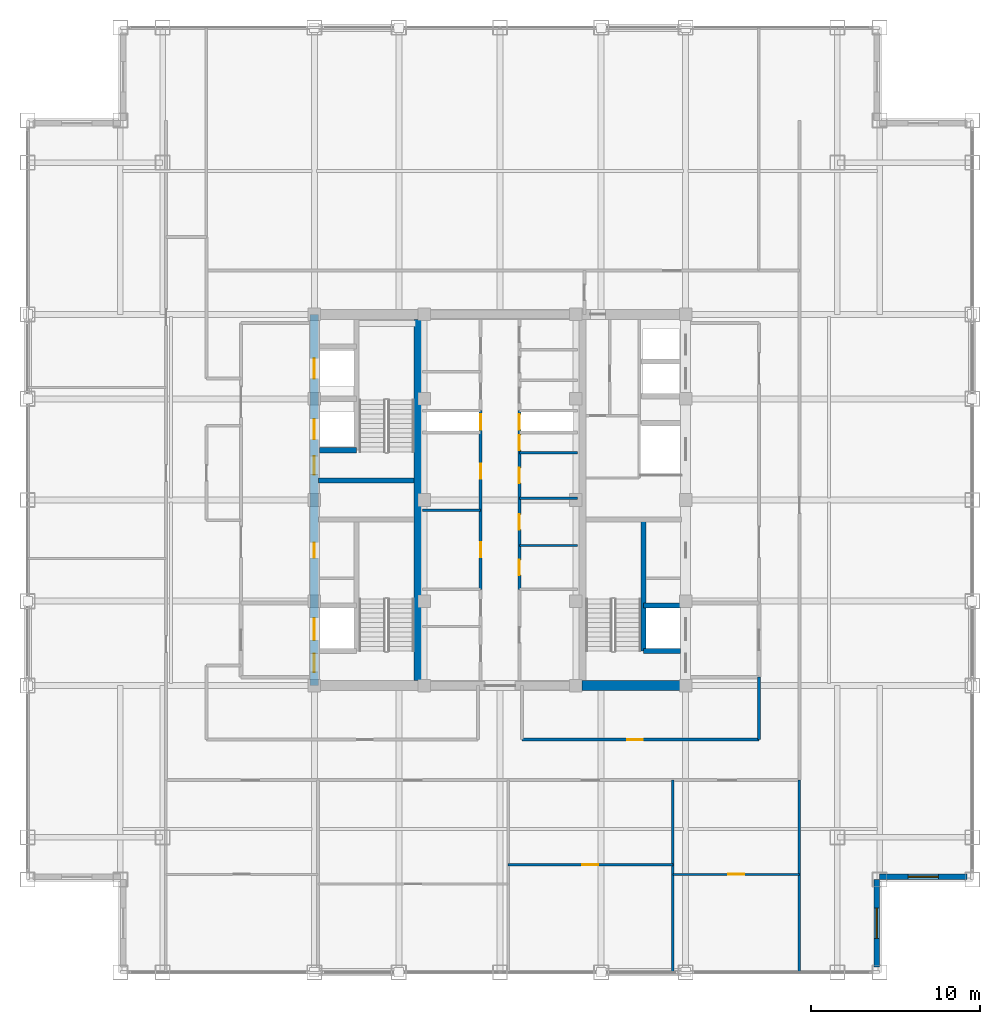
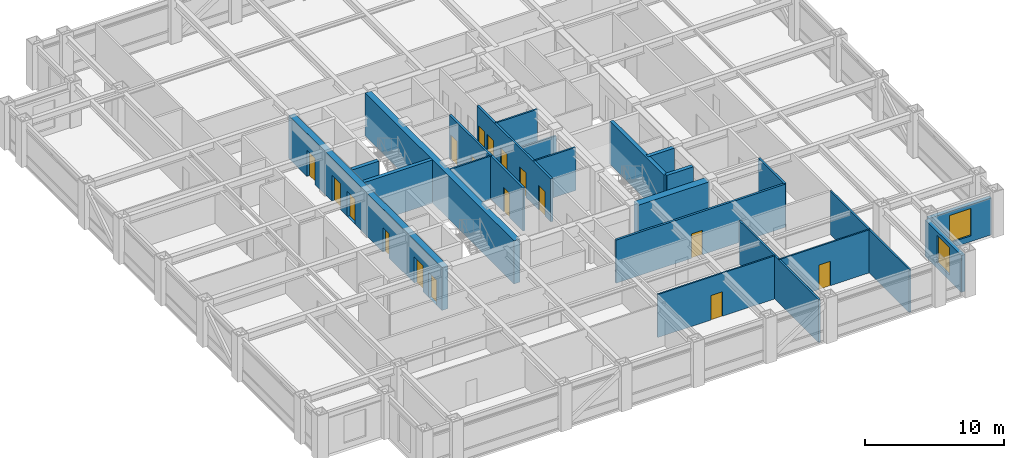
# One storey, part 19 of 22: 22 walls, 17 doors, 2 windows, 19 openings.
"""IFC4 building model written with IfcOpenShell, lengths in metres."""

from ifc_helpers import new_model, si_unit, direction, frame, frame_2d, origin, place, context, subcontext, project, spatial, rectangle, extrude, source, transform, mapped, material, layer, layer_set, type_object, element, fill, save


model = new_model("IFC4")

# Units and contexts
model_context = context("Model", 3, precision=1e-05, world=origin(), true_north=direction((0.0, 1.0)))
body_context = subcontext(model_context, "Body", "Model", "MODEL_VIEW")
ifc_project = project(units=[si_unit("LENGTHUNIT", "METRE"), si_unit("AREAUNIT", "SQUARE_METRE"), si_unit("VOLUMEUNIT", "CUBIC_METRE"), si_unit("PLANEANGLEUNIT", "RADIAN"), si_unit("MASSUNIT", "GRAM", prefix="KILO")], contexts=[model_context])

# Site, building, storey
site_placement = place(None, origin())
site = spatial("IfcSite", under=ifc_project, at=site_placement, CompositionType="ELEMENT")
building_placement = place(site_placement, origin())
building = spatial("IfcBuilding", under=site, at=building_placement, Name="Khorayat Bourse Tower", CompositionType="ELEMENT")
storey_placement = place(building_placement, frame((0.0, 0.0, 297.5)))
storey = spatial("IfcBuildingStorey", under=building, at=storey_placement, Name="L70", CompositionType="ELEMENT", Elevation=297.5)

# Wall, openings, doors
ifc_material_1 = material(Name="Concrete C52/65", Category="concrete")
ifc_layer_1 = layer(ifc_material_1, 0.5)
ifc_layer_set_1 = layer_set([ifc_layer_1], Name="Concrete C52/65")
wall_type_1 = type_object("IfcWallType", Name="WAL-CORE-500", PredefinedType="SHEAR", material=ifc_layer_set_1)
shared_shape_1 = source(origin(), body_context, "Body", "SweptSolid", [
    extrude(rectangle(XDim=22.0, YDim=0.5, at=frame_2d((11.0, 0.0))), origin(), (0.0, 0.0, 1.0), 3.780029296875),
])
wall_1_placement = place(storey_placement, frame((-11.0, -11.0, 0.0), z_axis=(0.0, 0.0, 1.0), x_axis=(0.0, 1.0, 0.0)))
wall_1 = element("IfcWall", 1, at=wall_1_placement, inside=storey, type_object=wall_type_1, Name="L70 Core Shear Wall CORE-W", PredefinedType="SHEAR", context=body_context, shape_type="MappedRepresentation", body=[
    mapped(shared_shape_1, transform((0.0, 0.0, 0.0), scale=1.0)),
])
shared_shape_2 = source(origin(), body_context, "Body", "SweptSolid", [
    extrude(rectangle(XDim=1.10009765625, YDim=2.199951171875, at=frame_2d((0.550048828125, 1.10009765625))), frame((0.0, 0.260009765625, 0.0), z_axis=(0.0, -1.0, 0.0), x_axis=(1.0, 0.0, 0.0)), (0.0, 0.0, 1.0), 0.52001953125),
])
opening_1_placement = place(wall_1_placement, frame((0.800048828125, 0.0, 0.0)))
opening_1 = element("IfcOpeningElement", 2, at=opening_1_placement, cuts=wall_1, Name="Opening DI-01", PredefinedType="OPENING", context=body_context, shape_type="MappedRepresentation", body=[
    mapped(shared_shape_2, transform((0.0, 0.0, 0.0), scale=1.0)),
])
opening_2_placement = place(wall_1_placement, frame((12.5, 0.0, 0.0)))
opening_2 = element("IfcOpeningElement", 3, at=opening_2_placement, cuts=wall_1, Name="Opening DI-01", PredefinedType="OPENING", context=body_context, shape_type="MappedRepresentation", body=[
    mapped(shared_shape_2, transform((0.0, 0.0, 0.0), scale=1.0)),
])
shared_shape_3 = source(origin(), body_context, "Body", "SweptSolid", [
    extrude(rectangle(XDim=0.89990234375, YDim=2.14990234375, at=frame_2d((0.449951171875, 1.074951171875))), frame((0.0, 0.260009765625, 0.0), z_axis=(0.0, -1.0, 0.0), x_axis=(1.0, 0.0, 0.0)), (0.0, 0.0, 1.0), 0.52001953125),
])
opening_3_placement = place(wall_1_placement, frame((7.574951171875, 0.0, 0.0)))
opening_3 = element("IfcOpeningElement", 4, at=opening_3_placement, cuts=wall_1, Name="Opening DI-06", PredefinedType="OPENING", context=body_context, shape_type="MappedRepresentation", body=[
    mapped(shared_shape_3, transform((0.0, 0.0, 0.0), scale=1.0)),
])
shared_shape_4 = source(origin(), body_context, "Body", "SweptSolid", [
    extrude(rectangle(XDim=1.199951171875, YDim=2.300048828125, at=frame_2d((0.60009765625, 1.14990234375))), frame((0.0, 0.260009765625, 0.0), z_axis=(0.0, -1.0, 0.0), x_axis=(1.0, 0.0, 0.0)), (0.0, 0.0, 1.0), 0.52001953125),
])
opening_4_placement = place(wall_1_placement, frame((14.60009765625, 0.0, 0.0)))
opening_4 = element("IfcOpeningElement", 5, at=opening_4_placement, cuts=wall_1, Name="Opening LD-01", PredefinedType="OPENING", context=body_context, shape_type="MappedRepresentation", body=[
    mapped(shared_shape_4, transform((0.0, 0.0, 0.0), scale=1.0)),
])
opening_5_placement = place(wall_1_placement, frame((18.199951171875, 0.0, 0.0)))
opening_5 = element("IfcOpeningElement", 6, at=opening_5_placement, cuts=wall_1, Name="Opening LD-01", PredefinedType="OPENING", context=body_context, shape_type="MappedRepresentation", body=[
    mapped(shared_shape_4, transform((0.0, 0.0, 0.0), scale=1.0)),
])
shared_shape_5 = source(origin(), body_context, "Body", "SweptSolid", [
    extrude(rectangle(XDim=1.300048828125, YDim=2.300048828125, at=frame_2d((0.64990234375, 1.14990234375))), frame((0.0, 0.260009765625, 0.0), z_axis=(0.0, -1.0, 0.0), x_axis=(1.0, 0.0, 0.0)), (0.0, 0.0, 1.0), 0.52001953125),
])
opening_6_placement = place(wall_1_placement, frame((2.699951171875, 0.0, 0.0)))
opening_6 = element("IfcOpeningElement", 7, at=opening_6_placement, cuts=wall_1, Name="Opening LD-02", PredefinedType="OPENING", context=body_context, shape_type="MappedRepresentation", body=[
    mapped(shared_shape_5, transform((0.0, 0.0, 0.0), scale=1.0)),
])
ifc_material_2 = material(Name="Fire-rated steel acoustic leaf", Category="steel")
door_type_1 = type_object("IfcDoorType", Name="DR-INT-STAIR-1100", OperationType="NOTDEFINED", PredefinedType="DOOR", material=ifc_material_2)
shared_shape_6 = source(origin(), body_context, "Body", "SweptSolid", [
    extrude(rectangle(XDim=1.10009765625, YDim=2.199951171875, at=frame_2d((0.550048828125, 1.10009765625))), frame((0.0, 0.02490234375, 0.0), z_axis=(0.0, -1.0, 0.0), x_axis=(1.0, 0.0, 0.0)), (0.0, 0.0, 1.0), 0.050048828125),
])
door_1_placement = place(opening_1_placement, origin())
door_1 = element("IfcDoor", 8, at=door_1_placement, inside=storey, type_object=door_type_1, Name="L70 Exit Stair 1 Door", OperationType="SINGLE_SWING_RIGHT", OverallHeight=2.199951171875, OverallWidth=1.10009765625, PredefinedType="DOOR", context=body_context, shape_type="MappedRepresentation", body=[
    mapped(shared_shape_6, transform((0.0, 0.0, 0.0), scale=1.0)),
])
fill(opening_1, door_1)
door_2_placement = place(opening_2_placement, origin())
door_2 = element("IfcDoor", 9, at=door_2_placement, inside=storey, type_object=door_type_1, Name="L70 Exit Stair 2 Door", OperationType="SINGLE_SWING_RIGHT", OverallHeight=2.199951171875, OverallWidth=1.10009765625, PredefinedType="DOOR", context=body_context, shape_type="MappedRepresentation", body=[
    mapped(shared_shape_6, transform((0.0, 0.0, 0.0), scale=1.0)),
])
fill(opening_2, door_2)
ifc_material_3 = material(Name="Moisture-resistant laminate washroom door")
door_type_2 = type_object("IfcDoorType", Name="DR-INT-WC-900", OperationType="NOTDEFINED", PredefinedType="DOOR", material=ifc_material_3)
shared_shape_7 = source(origin(), body_context, "Body", "SweptSolid", [
    extrude(rectangle(XDim=0.89990234375, YDim=2.14990234375, at=frame_2d((0.449951171875, 1.074951171875))), frame((0.0, 0.02490234375, 0.0), z_axis=(0.0, -1.0, 0.0), x_axis=(1.0, 0.0, 0.0)), (0.0, 0.0, 1.0), 0.050048828125),
])
door_3_placement = place(opening_3_placement, origin())
door_3 = element("IfcDoor", 10, at=door_3_placement, inside=storey, type_object=door_type_2, Name="L70 UPS Switch Plant Room Door", OperationType="SINGLE_SWING_RIGHT", OverallHeight=2.14990234375, OverallWidth=0.89990234375, PredefinedType="DOOR", context=body_context, shape_type="MappedRepresentation", body=[
    mapped(shared_shape_7, transform((0.0, 0.0, 0.0), scale=1.0)),
])
fill(opening_3, door_3)
ifc_material_4 = material(Name="Brushed bronze stainless-steel sliding door", Category="steel")
door_type_3 = type_object("IfcDoorType", Name="DR-LIFT-PASS-1200", OperationType="NOTDEFINED", PredefinedType="DOOR", material=ifc_material_4)
shared_shape_8 = source(origin(), body_context, "Body", "SweptSolid", [
    extrude(rectangle(XDim=1.199951171875, YDim=2.300048828125, at=frame_2d((0.60009765625, 1.14990234375))), frame((0.0, 0.02490234375, 0.0), z_axis=(0.0, -1.0, 0.0), x_axis=(1.0, 0.0, 0.0)), (0.0, 0.0, 1.0), 0.050048828125),
])
door_4_placement = place(opening_4_placement, origin())
door_4 = element("IfcDoor", 11, at=door_4_placement, inside=storey, type_object=door_type_3, Name="L70 Lift PL-H1 Sliding Landing Door", OperationType="SLIDING_TO_LEFT", OverallHeight=2.300048828125, OverallWidth=1.199951171875, PredefinedType="DOOR", context=body_context, shape_type="MappedRepresentation", body=[
    mapped(shared_shape_8, transform((0.0, 0.0, 0.0), scale=1.0)),
])
fill(opening_4, door_4)
door_5_placement = place(opening_5_placement, origin())
door_5 = element("IfcDoor", 12, at=door_5_placement, inside=storey, type_object=door_type_3, Name="L70 Lift PL-H2 Sliding Landing Door", OperationType="SLIDING_TO_LEFT", OverallHeight=2.300048828125, OverallWidth=1.199951171875, PredefinedType="DOOR", context=body_context, shape_type="MappedRepresentation", body=[
    mapped(shared_shape_8, transform((0.0, 0.0, 0.0), scale=1.0)),
])
fill(opening_5, door_5)
ifc_material_5 = material(Name="Fire-rated stainless-steel sliding landing door", Category="steel")
door_type_4 = type_object("IfcDoorType", Name="DR-LIFT-FF-1300", OperationType="NOTDEFINED", PredefinedType="DOOR", material=ifc_material_5)
shared_shape_9 = source(origin(), body_context, "Body", "SweptSolid", [
    extrude(rectangle(XDim=1.300048828125, YDim=2.300048828125, at=frame_2d((0.64990234375, 1.14990234375))), frame((0.0, 0.02490234375, 0.0), z_axis=(0.0, -1.0, 0.0), x_axis=(1.0, 0.0, 0.0)), (0.0, 0.0, 1.0), 0.050048828125),
])
door_6_placement = place(opening_6_placement, origin())
door_6 = element("IfcDoor", 13, at=door_6_placement, inside=storey, type_object=door_type_4, Name="L70 Lift FFL-01 Sliding Landing Door", OperationType="SLIDING_TO_LEFT", OverallHeight=2.300048828125, OverallWidth=1.300048828125, PredefinedType="DOOR", context=body_context, shape_type="MappedRepresentation", body=[
    mapped(shared_shape_9, transform((0.0, 0.0, 0.0), scale=1.0)),
])
fill(opening_6, door_6)

# Walls
shared_shape_10 = source(origin(), body_context, "Body", "SweptSolid", [
    extrude(rectangle(XDim=21.39990234375, YDim=0.5, at=frame_2d((10.699951171875, 0.0))), origin(), (0.0, 0.0, 1.0), 3.780029296875),
])
wall_2_placement = place(storey_placement, frame((-4.85009765625, -10.699951171875, 0.0), z_axis=(0.0, 0.0, 1.0), x_axis=(0.0, 1.0, 0.0)))
element("IfcWall", 14, at=wall_2_placement, inside=storey, type_object=wall_type_1, Name="L70 Core Shear Wall PIER-W", PredefinedType="SHEAR", context=body_context, shape_type="MappedRepresentation", body=[
    mapped(shared_shape_10, transform((0.0, 0.0, 0.0), scale=1.0)),
])
ifc_material_6 = material(Name="Concrete C60/75", Category="concrete")
ifc_layer_2 = layer(ifc_material_6, 0.60009765625)
ifc_layer_set_2 = layer_set([ifc_layer_2], Name="Concrete C60/75")
wall_type_2 = type_object("IfcWallType", Name="WAL-CORE-600", PredefinedType="SHEAR", material=ifc_layer_set_2)
shared_shape_11 = source(origin(), body_context, "Body", "SweptSolid", [
    extrude(rectangle(XDim=5.89990234375, YDim=0.60009765625, at=frame_2d((2.949951171875, 0.0))), origin(), (0.0, 0.0, 1.0), 3.780029296875),
])
wall_3_placement = place(storey_placement, frame((4.85009765625, -11.0, 0.0), z_axis=(0.0, 0.0, 1.0), x_axis=(1.0, 0.0, 0.0)))
element("IfcWall", 15, at=wall_3_placement, inside=storey, type_object=wall_type_2, Name="L70 Core Shear Wall PIER-ES", PredefinedType="SHEAR", context=body_context, shape_type="MappedRepresentation", body=[
    mapped(shared_shape_11, transform((0.0, 0.0, 0.0), scale=1.0)),
])
ifc_material_7 = material(Name="Concrete C50/60", Category="concrete")
ifc_layer_3 = layer(ifc_material_7, 0.300048828125)
ifc_layer_set_3 = layer_set([ifc_layer_3], Name="Concrete C50/60")
wall_type_3 = type_object("IfcWallType", Name="WAL-SHAFT-300", PredefinedType="SHEAR", material=ifc_layer_set_3)
shared_shape_12 = source(origin(), body_context, "Body", "SweptSolid", [
    extrude(rectangle(XDim=5.64990234375, YDim=0.300048828125, at=frame_2d((2.824951171875, 0.0))), origin(), (0.0, 0.0, 1.0), 3.780029296875),
])
wall_4_placement = place(storey_placement, frame((-10.75, 1.14990234375, 0.0), z_axis=(0.0, 0.0, 1.0), x_axis=(1.0, 0.0, 0.0)))
element("IfcWall", 16, at=wall_4_placement, inside=storey, type_object=wall_type_3, Name="L70 Core Shear Wall ST2-DIV", PredefinedType="SHEAR", context=body_context, shape_type="MappedRepresentation", body=[
    mapped(shared_shape_12, transform((0.0, 0.0, 0.0), scale=1.0)),
])

# Wall, opening, window
ifc_material_8 = material(Name="Precast concrete C45/55", Category="concrete")
ifc_layer_4 = layer(ifc_material_8, 0.320068359375)
ifc_layer_set_4 = layer_set([ifc_layer_4], Name="Precast concrete C45/55")
wall_type_4 = type_object("IfcWallType", Name="WAL-EXT-STONE-320", PredefinedType="STANDARD", material=ifc_layer_set_4)
shared_shape_13 = source(origin(), body_context, "Body", "SweptSolid", [
    extrude(rectangle(XDim=5.179931640625, YDim=0.320068359375, at=frame_2d((2.58984375, 0.0))), origin(), (0.0, 0.0, 1.0), 3.23095703125),
])
wall_5_placement = place(storey_placement, frame((22.340087890625, -27.679931640625, 0.0), z_axis=(0.0, 0.0, 1.0), x_axis=(0.0, 1.0, 0.0)))
wall_5 = element("IfcWall", 17, at=wall_5_placement, inside=storey, type_object=wall_type_4, Name="L70 Re-Entrant Notch Limestone Wall SE-V", PredefinedType="STANDARD", context=body_context, shape_type="MappedRepresentation", body=[
    mapped(shared_shape_13, transform((0.0, 0.0, 0.0), scale=1.0)),
])
shared_shape_14 = source(origin(), body_context, "Body", "SweptSolid", [
    extrude(rectangle(XDim=1.800048828125, YDim=2.39990234375, at=frame_2d((0.89990234375, 1.199951171875))), frame((0.0, 0.169921875, 0.0), z_axis=(0.0, -1.0, 0.0), x_axis=(1.0, 0.0, 0.0)), (0.0, 0.0, 1.0), 0.340087890625),
])
opening_7_placement = place(wall_5_placement, frame((1.68994140625, 0.0, 0.5)))
opening_7 = element("IfcOpeningElement", 18, at=opening_7_placement, cuts=wall_5, Name="Opening WN-04", PredefinedType="OPENING", context=body_context, shape_type="MappedRepresentation", body=[
    mapped(shared_shape_14, transform((0.0, 0.0, 0.0), scale=1.0)),
])
ifc_material_9 = material(Name="Low-E acoustic laminated double glazing", Category="glass")
window_type = type_object("IfcWindowType", Name="WIN-NOTCH-1800x2400", PartitioningType="SINGLE_PANEL", PredefinedType="WINDOW", material=ifc_material_9)
shared_shape_15 = source(origin(), body_context, "Body", "SweptSolid", [
    extrude(rectangle(XDim=1.800048828125, YDim=2.39990234375, at=frame_2d((0.89990234375, 1.199951171875))), frame((0.0, 0.030029296875, 0.0), z_axis=(0.0, -1.0, 0.0), x_axis=(1.0, 0.0, 0.0)), (0.0, 0.0, 1.0), 0.06005859375),
])
window_1_placement = place(opening_7_placement, origin())
window_1 = element("IfcWindow", 19, at=window_1_placement, inside=storey, type_object=window_type, Name="L70 Facade Window 1", OverallHeight=2.39990234375, OverallWidth=1.800048828125, PartitioningType="SINGLE_PANEL", PredefinedType="WINDOW", context=body_context, shape_type="MappedRepresentation", body=[
    mapped(shared_shape_15, transform((0.0, 0.0, 0.0), scale=1.0)),
])
fill(opening_7, window_1)

wall_6_placement = place(storey_placement, frame((22.5, -22.340087890625, 0.0), z_axis=(0.0, 0.0, 1.0), x_axis=(1.0, 0.0, 0.0)))
wall_6 = element("IfcWall", 20, at=wall_6_placement, inside=storey, type_object=wall_type_4, Name="L70 Re-Entrant Notch Limestone Wall SE-H", PredefinedType="STANDARD", context=body_context, shape_type="MappedRepresentation", body=[
    mapped(shared_shape_13, transform((0.0, 0.0, 0.0), scale=1.0)),
])
opening_8_placement = place(wall_6_placement, frame((1.68994140625, 0.0, 0.5)))
opening_8 = element("IfcOpeningElement", 21, at=opening_8_placement, cuts=wall_6, Name="Opening WN-04", PredefinedType="OPENING", context=body_context, shape_type="MappedRepresentation", body=[
    mapped(shared_shape_14, transform((0.0, 0.0, 0.0), scale=1.0)),
])
window_2_placement = place(opening_8_placement, origin())
window_2 = element("IfcWindow", 22, at=window_2_placement, inside=storey, type_object=window_type, Name="L70 Facade Window 1", OverallHeight=2.39990234375, OverallWidth=1.800048828125, PartitioningType="SINGLE_PANEL", PredefinedType="WINDOW", context=body_context, shape_type="MappedRepresentation", body=[
    mapped(shared_shape_15, transform((0.0, 0.0, 0.0), scale=1.0)),
])
fill(opening_8, window_2)

# Walls
ifc_material_10 = material(Name="Moisture-resistant masonry partition", Category="masonry")
ifc_layer_5 = layer(ifc_material_10, 0.139892578125)
ifc_layer_set_5 = layer_set([ifc_layer_5], Name="Moisture-resistant masonry partition")
wall_type_5 = type_object("IfcWallType", Name="WAL-PART-WET-140", PredefinedType="PARTITIONING", material=ifc_layer_set_5)
shared_shape_16 = source(origin(), body_context, "Body", "SweptSolid", [
    extrude(rectangle(XDim=3.4501953125, YDim=0.139892578125, at=frame_2d((1.72509765625, 0.0))), origin(), (0.0, 0.0, 1.0), 3.0849609375),
])
wall_7_placement = place(storey_placement, frame((1.14990234375, 0.10009765625, 0.0), z_axis=(0.0, 0.0, 1.0), x_axis=(1.0, 0.0, 0.0)))
element("IfcWall", 23, at=wall_7_placement, inside=storey, type_object=wall_type_5, Name="L70 Partition WAL-L70-CME-D2", PredefinedType="PARTITIONING", context=body_context, shape_type="MappedRepresentation", body=[
    mapped(shared_shape_16, transform((0.0, 0.0, 0.0), scale=1.0)),
])
shared_shape_17 = source(origin(), body_context, "Body", "SweptSolid", [
    extrude(rectangle(XDim=7.800048828125, YDim=0.300048828125, at=frame_2d((3.89990234375, 0.0))), origin(), (0.0, 0.0, 1.0), 3.780029296875),
])
wall_8_placement = place(storey_placement, frame((8.5, -8.949951171875, 0.0), z_axis=(0.0, 0.0, 1.0), x_axis=(0.0, 1.0, 0.0)))
element("IfcWall", 24, at=wall_8_placement, inside=storey, type_object=wall_type_3, Name="L70 Partition WAL-L70-EPIER-SP", PredefinedType="SHEAR", context=body_context, shape_type="MappedRepresentation", body=[
    mapped(shared_shape_17, transform((0.0, 0.0, 0.0), scale=1.0)),
])
shared_shape_18 = source(origin(), body_context, "Body", "SweptSolid", [
    extrude(rectangle(XDim=2.199951171875, YDim=0.300048828125, at=frame_2d((1.10009765625, 0.0))), origin(), (0.0, 0.0, 1.0), 3.780029296875),
])
for number, where, z_axis, x_axis, name in (
    (25, (-10.699951171875, 2.949951171875, 0.0), (0.0, 0.0, 1.0), (1.0, 0.0, 0.0), "L70 Partition WAL-L70-WPIER-H1S"),
    (26, (8.5, -8.949951171875, 0.0), (0.0, 0.0, 1.0), (1.0, 0.0, 0.0), "L70 Partition WAL-L70-EPIER-FF2S"),
    (27, (8.5, -6.25, 0.0), (0.0, 0.0, 1.0), (1.0, 0.0, 0.0), "L70 Partition WAL-L70-EPIER-FF2N"),
):
    element("IfcWall", number, at=place(storey_placement, frame(where, z_axis=z_axis, x_axis=x_axis)), inside=storey, type_object=wall_type_3, Name=name, PredefinedType="SHEAR", context=body_context, shape_type="MappedRepresentation", body=[
        mapped(shared_shape_18, transform((0.0, 0.0, 0.0), scale=1.0)),
    ])
shared_shape_19 = source(origin(), body_context, "Body", "SweptSolid", [
    extrude(rectangle(XDim=3.4501953125, YDim=0.139892578125, at=frame_2d((1.72509765625, 0.0))), origin(), (0.0, 0.0, 1.0), 3.780029296875),
])
for number, where, z_axis, x_axis, name in (
    (28, (-4.60009765625, -0.60009765625, 0.0), (0.0, 0.0, 1.0), (1.0, 0.0, 0.0), "L70 Partition WAL-L70-CMW-D1"),
    (29, (1.14990234375, -2.699951171875, 0.0), (0.0, 0.0, 1.0), (1.0, 0.0, 0.0), "L70 Partition WAL-L70-CME-D1"),
    (30, (1.14990234375, 2.800048828125, 0.0), (0.0, 0.0, 1.0), (1.0, 0.0, 0.0), "L70 Partition WAL-L70-CME-D3"),
):
    element("IfcWall", number, at=place(storey_placement, frame(where, z_axis=z_axis, x_axis=x_axis)), inside=storey, type_object=wall_type_5, Name=name, PredefinedType="PARTITIONING", context=body_context, shape_type="MappedRepresentation", body=[
        mapped(shared_shape_19, transform((0.0, 0.0, 0.0), scale=1.0)),
    ])

# Wall, openings, doors
ifc_material_11 = material(Name="Gypsum plasterboard acoustic stud wall")
ifc_layer_6 = layer(ifc_material_11, 0.179931640625)
ifc_layer_set_6 = layer_set([ifc_layer_6], Name="Gypsum plasterboard acoustic stud wall")
wall_type_6 = type_object("IfcWallType", Name="WAL-PART-CORR-180", PredefinedType="PARTITIONING", material=ifc_layer_set_6)
shared_shape_20 = source(origin(), body_context, "Body", "SweptSolid", [
    extrude(rectangle(XDim=10.60009765625, YDim=0.179931640625, at=frame_2d((5.300048828125, 0.0))), origin(), (0.0, 0.0, 1.0), 3.780029296875),
])
wall_9_placement = place(storey_placement, frame((-1.14990234375, -5.300048828125, 0.0), z_axis=(0.0, 0.0, 1.0), x_axis=(0.0, 1.0, 0.0)))
wall_9 = element("IfcWall", 31, at=wall_9_placement, inside=storey, type_object=wall_type_6, Name="L70 Partition WAL-L70-CMW-L", PredefinedType="PARTITIONING", context=body_context, shape_type="MappedRepresentation", body=[
    mapped(shared_shape_20, transform((0.0, 0.0, 0.0), scale=1.0)),
])
shared_shape_21 = source(origin(), body_context, "Body", "SweptSolid", [
    extrude(rectangle(XDim=0.89990234375, YDim=2.14990234375, at=frame_2d((0.449951171875, 1.074951171875))), frame((0.0, 0.099853515625, 0.0), z_axis=(0.0, -1.0, 0.0), x_axis=(1.0, 0.0, 0.0)), (0.0, 0.0, 1.0), 0.199951171875),
])
opening_9_placement = place(wall_9_placement, frame((1.89990234375, 0.0, 0.0)))
opening_9 = element("IfcOpeningElement", 32, at=opening_9_placement, cuts=wall_9, Name="Opening DI-06", PredefinedType="OPENING", context=body_context, shape_type="MappedRepresentation", body=[
    mapped(shared_shape_21, transform((0.0, 0.0, 0.0), scale=1.0)),
])
opening_10_placement = place(wall_9_placement, frame((6.550048828125, 0.0, 0.0)))
opening_10 = element("IfcOpeningElement", 33, at=opening_10_placement, cuts=wall_9, Name="Opening DI-06", PredefinedType="OPENING", context=body_context, shape_type="MappedRepresentation", body=[
    mapped(shared_shape_21, transform((0.0, 0.0, 0.0), scale=1.0)),
])
opening_11_placement = place(wall_9_placement, frame((9.47509765625, 0.0, 0.0)))
opening_11 = element("IfcOpeningElement", 34, at=opening_11_placement, cuts=wall_9, Name="Opening DI-06", PredefinedType="OPENING", context=body_context, shape_type="MappedRepresentation", body=[
    mapped(shared_shape_21, transform((0.0, 0.0, 0.0), scale=1.0)),
])
door_7_placement = place(opening_9_placement, origin())
door_7 = element("IfcDoor", 35, at=door_7_placement, inside=storey, type_object=door_type_2, Name="L70 Male Core Washroom Door", OperationType="SINGLE_SWING_RIGHT", OverallHeight=2.14990234375, OverallWidth=0.89990234375, PredefinedType="DOOR", context=body_context, shape_type="MappedRepresentation", body=[
    mapped(shared_shape_7, transform((0.0, 0.0, 0.0), scale=1.0)),
])
fill(opening_9, door_7)
door_8_placement = place(opening_10_placement, origin())
door_8 = element("IfcDoor", 36, at=door_8_placement, inside=storey, type_object=door_type_2, Name="L70 Chilled Water Riser Plant Room Door", OperationType="SINGLE_SWING_LEFT", OverallHeight=2.14990234375, OverallWidth=0.89990234375, PredefinedType="DOOR", context=body_context, shape_type="MappedRepresentation", body=[
    mapped(shared_shape_7, transform((0.0, 0.0, 0.0), scale=1.0)),
])
fill(opening_10, door_8)
door_9_placement = place(opening_11_placement, origin())
door_9 = element("IfcDoor", 37, at=door_9_placement, inside=storey, type_object=door_type_2, Name="L70 West Core Riser Door", OperationType="SINGLE_SWING_LEFT", OverallHeight=2.14990234375, OverallWidth=0.89990234375, PredefinedType="DOOR", context=body_context, shape_type="MappedRepresentation", body=[
    mapped(shared_shape_7, transform((0.0, 0.0, 0.0), scale=1.0)),
])
fill(opening_11, door_9)

wall_10_placement = place(storey_placement, frame((1.14990234375, -5.300048828125, 0.0), z_axis=(0.0, 0.0, 1.0), x_axis=(0.0, 1.0, 0.0)))
wall_10 = element("IfcWall", 38, at=wall_10_placement, inside=storey, type_object=wall_type_6, Name="L70 Partition WAL-L70-CME-L", PredefinedType="PARTITIONING", context=body_context, shape_type="MappedRepresentation", body=[
    mapped(shared_shape_20, transform((0.0, 0.0, 0.0), scale=1.0)),
])
opening_12_placement = place(wall_10_placement, frame((0.85009765625, 0.0, 0.0)))
opening_12 = element("IfcOpeningElement", 39, at=opening_12_placement, cuts=wall_10, Name="Opening DI-06", PredefinedType="OPENING", context=body_context, shape_type="MappedRepresentation", body=[
    mapped(shared_shape_21, transform((0.0, 0.0, 0.0), scale=1.0)),
])
opening_13_placement = place(wall_10_placement, frame((3.550048828125, 0.0, 0.0)))
opening_13 = element("IfcOpeningElement", 40, at=opening_13_placement, cuts=wall_10, Name="Opening DI-06", PredefinedType="OPENING", context=body_context, shape_type="MappedRepresentation", body=[
    mapped(shared_shape_21, transform((0.0, 0.0, 0.0), scale=1.0)),
])
opening_14_placement = place(wall_10_placement, frame((6.300048828125, 0.0, 0.0)))
opening_14 = element("IfcOpeningElement", 41, at=opening_14_placement, cuts=wall_10, Name="Opening DI-06", PredefinedType="OPENING", context=body_context, shape_type="MappedRepresentation", body=[
    mapped(shared_shape_21, transform((0.0, 0.0, 0.0), scale=1.0)),
])
opening_15_placement = place(wall_10_placement, frame((8.25, 0.0, 0.0)))
opening_15 = element("IfcOpeningElement", 42, at=opening_15_placement, cuts=wall_10, Name="Opening DI-06", PredefinedType="OPENING", context=body_context, shape_type="MappedRepresentation", body=[
    mapped(shared_shape_21, transform((0.0, 0.0, 0.0), scale=1.0)),
])
opening_16_placement = place(wall_10_placement, frame((9.47509765625, 0.0, 0.0)))
opening_16 = element("IfcOpeningElement", 43, at=opening_16_placement, cuts=wall_10, Name="Opening DI-06", PredefinedType="OPENING", context=body_context, shape_type="MappedRepresentation", body=[
    mapped(shared_shape_21, transform((0.0, 0.0, 0.0), scale=1.0)),
])
door_10_placement = place(opening_12_placement, origin())
door_10 = element("IfcDoor", 44, at=door_10_placement, inside=storey, type_object=door_type_2, Name="L70 Female Core Washroom Door", OperationType="SINGLE_SWING_RIGHT", OverallHeight=2.14990234375, OverallWidth=0.89990234375, PredefinedType="DOOR", context=body_context, shape_type="MappedRepresentation", body=[
    mapped(shared_shape_7, transform((0.0, 0.0, 0.0), scale=1.0)),
])
fill(opening_12, door_10)
door_11_placement = place(opening_13_placement, origin())
door_11 = element("IfcDoor", 45, at=door_11_placement, inside=storey, type_object=door_type_2, Name="L70 Comms Patch Room Door", OperationType="SINGLE_SWING_LEFT", OverallHeight=2.14990234375, OverallWidth=0.89990234375, PredefinedType="DOOR", context=body_context, shape_type="MappedRepresentation", body=[
    mapped(shared_shape_7, transform((0.0, 0.0, 0.0), scale=1.0)),
])
fill(opening_13, door_11)
door_12_placement = place(opening_14_placement, origin())
door_12 = element("IfcDoor", 46, at=door_12_placement, inside=storey, type_object=door_type_2, Name="L70 Janitor Cupboard Door", OperationType="SINGLE_SWING_RIGHT", OverallHeight=2.14990234375, OverallWidth=0.89990234375, PredefinedType="DOOR", context=body_context, shape_type="MappedRepresentation", body=[
    mapped(shared_shape_7, transform((0.0, 0.0, 0.0), scale=1.0)),
])
fill(opening_14, door_12)
door_13_placement = place(opening_15_placement, origin())
door_13 = element("IfcDoor", 47, at=door_13_placement, inside=storey, type_object=door_type_2, Name="L70 Fire Valve Plant Room Door", OperationType="SINGLE_SWING_LEFT", OverallHeight=2.14990234375, OverallWidth=0.89990234375, PredefinedType="DOOR", context=body_context, shape_type="MappedRepresentation", body=[
    mapped(shared_shape_7, transform((0.0, 0.0, 0.0), scale=1.0)),
])
fill(opening_15, door_13)
door_14_placement = place(opening_16_placement, origin())
door_14 = element("IfcDoor", 48, at=door_14_placement, inside=storey, type_object=door_type_2, Name="L70 East Core Riser Door", OperationType="SINGLE_SWING_RIGHT", OverallHeight=2.14990234375, OverallWidth=0.89990234375, PredefinedType="DOOR", context=body_context, shape_type="MappedRepresentation", body=[
    mapped(shared_shape_7, transform((0.0, 0.0, 0.0), scale=1.0)),
])
fill(opening_16, door_14)

# Wall, opening, door
shared_shape_22 = source(origin(), body_context, "Body", "SweptSolid", [
    extrude(rectangle(XDim=14.050048828125, YDim=0.179931640625, at=frame_2d((7.02490234375, 0.0))), origin(), (0.0, 0.0, 1.0), 3.780029296875),
])
wall_11_placement = place(storey_placement, frame((1.300048828125, -14.199951171875, 0.0), z_axis=(0.0, 0.0, 1.0), x_axis=(1.0, 0.0, 0.0)))
wall_11 = element("IfcWall", 49, at=wall_11_placement, inside=storey, type_object=wall_type_6, Name="L70 Partition WAL-L70-PKSE-S", PredefinedType="PARTITIONING", context=body_context, shape_type="MappedRepresentation", body=[
    mapped(shared_shape_22, transform((0.0, 0.0, 0.0), scale=1.0)),
])
opening_17_placement = place(wall_11_placement, frame((6.25, 0.0, 0.0)))
opening_17 = element("IfcOpeningElement", 50, at=opening_17_placement, cuts=wall_11, Name="Opening DI-06", PredefinedType="OPENING", context=body_context, shape_type="MappedRepresentation", body=[
    mapped(shared_shape_21, transform((0.0, 0.0, 0.0), scale=1.0)),
])
door_15_placement = place(opening_17_placement, origin())
door_15 = element("IfcDoor", 51, at=door_15_placement, inside=storey, type_object=door_type_2, Name="L70 SE Inboard Study Door", OperationType="SINGLE_SWING_RIGHT", OverallHeight=2.14990234375, OverallWidth=0.89990234375, PredefinedType="DOOR", context=body_context, shape_type="MappedRepresentation", body=[
    mapped(shared_shape_7, transform((0.0, 0.0, 0.0), scale=1.0)),
])
fill(opening_17, door_15)

ifc_material_12 = material(Name="Gypsum plasterboard partition")
ifc_layer_7 = layer(ifc_material_12, 0.125)
ifc_layer_set_7 = layer_set([ifc_layer_7], Name="Gypsum plasterboard partition")
wall_type_7 = type_object("IfcWallType", Name="WAL-PART-ROOM-125", PredefinedType="PARTITIONING", material=ifc_layer_set_7)
shared_shape_23 = source(origin(), body_context, "Body", "SweptSolid", [
    extrude(rectangle(XDim=9.762939453125, YDim=0.125, at=frame_2d((4.88134765625, 0.0))), origin(), (0.0, 0.0, 1.0), 3.780029296875),
])
wall_12_placement = place(storey_placement, frame((0.47705078125, -21.615966796875, 0.0), z_axis=(0.0, 0.0, 1.0), x_axis=(1.0, 0.0, 0.0)))
wall_12 = element("IfcWall", 52, at=wall_12_placement, inside=storey, type_object=wall_type_7, Name="L70 Partition WAL-L70-SDP-3", PredefinedType="PARTITIONING", context=body_context, shape_type="MappedRepresentation", body=[
    mapped(shared_shape_23, transform((0.0, 0.0, 0.0), scale=1.0)),
])
shared_shape_24 = source(origin(), body_context, "Body", "SweptSolid", [
    extrude(rectangle(XDim=0.949951171875, YDim=2.14990234375, at=frame_2d((0.47509765625, 1.074951171875))), frame((0.0, 0.072509765625, 0.0), z_axis=(0.0, -1.0, 0.0), x_axis=(1.0, 0.0, 0.0)), (0.0, 0.0, 1.0), 0.14501953125),
])
opening_18_placement = place(wall_12_placement, frame((4.406494140625, 0.0, 0.0)))
opening_18 = element("IfcOpeningElement", 53, at=opening_18_placement, cuts=wall_12, Name="Opening DI-05", PredefinedType="OPENING", context=body_context, shape_type="MappedRepresentation", body=[
    mapped(shared_shape_24, transform((0.0, 0.0, 0.0), scale=1.0)),
])
ifc_material_13 = material(Name="Acoustic oak veneer office door")
door_type_5 = type_object("IfcDoorType", Name="DR-INT-OFFICE-950", OperationType="NOTDEFINED", PredefinedType="DOOR", material=ifc_material_13)
shared_shape_25 = source(origin(), body_context, "Body", "SweptSolid", [
    extrude(rectangle(XDim=0.949951171875, YDim=2.14990234375, at=frame_2d((0.47509765625, 1.074951171875))), frame((0.0, 0.02490234375, 0.0), z_axis=(0.0, -1.0, 0.0), x_axis=(1.0, 0.0, 0.0)), (0.0, 0.0, 1.0), 0.050048828125),
])
door_16_placement = place(opening_18_placement, origin())
door_16 = element("IfcDoor", 54, at=door_16_placement, inside=storey, type_object=door_type_5, Name="L70 Catering Servery Kitchen S3B Door", OperationType="SINGLE_SWING_RIGHT", OverallHeight=2.14990234375, OverallWidth=0.949951171875, PredefinedType="DOOR", context=body_context, shape_type="MappedRepresentation", body=[
    mapped(shared_shape_25, transform((0.0, 0.0, 0.0), scale=1.0)),
])
fill(opening_18, door_16)

# Walls
shared_shape_26 = source(origin(), body_context, "Body", "SweptSolid", [
    extrude(rectangle(XDim=3.699951171875, YDim=0.179931640625, at=frame_2d((1.85009765625, 0.0))), origin(), (0.0, 0.0, 1.0), 3.780029296875),
])
wall_13_placement = place(storey_placement, frame((15.35009765625, -14.199951171875, 0.0), z_axis=(0.0, 0.0, 1.0), x_axis=(0.0, 1.0, 0.0)))
element("IfcWall", 55, at=wall_13_placement, inside=storey, type_object=wall_type_6, Name="L70 Partition WAL-L70-PKSE-E", PredefinedType="PARTITIONING", context=body_context, shape_type="MappedRepresentation", body=[
    mapped(shared_shape_26, transform((0.0, 0.0, 0.0), scale=1.0)),
])
ifc_material_14 = material(Name="Gypsum plasterboard twin-frame partition")
ifc_layer_8 = layer(ifc_material_14, 0.14990234375)
ifc_layer_set_8 = layer_set([ifc_layer_8], Name="Gypsum plasterboard twin-frame partition")
wall_type_8 = type_object("IfcWallType", Name="WAL-PART-SUITE-150", PredefinedType="PARTITIONING", material=ifc_layer_set_8)
shared_shape_27 = source(origin(), body_context, "Body", "SweptSolid", [
    extrude(rectangle(XDim=11.39990234375, YDim=0.14990234375, at=frame_2d((5.699951171875, 0.0))), origin(), (0.0, 0.0, 1.0), 3.780029296875),
])
for number, where, z_axis, x_axis, name in (
    (56, (10.239990234375, -28.0, 0.0), (0.0, 0.0, 1.0), (0.0, 1.0, 0.0), "L70 Partition WAL-L70-SDV-3"),
    (57, (17.75, -28.0, 0.0), (0.0, 0.0, 1.0), (0.0, 1.0, 0.0), "L70 Partition WAL-L70-SCE-END"),
):
    element("IfcWall", number, at=place(storey_placement, frame(where, z_axis=z_axis, x_axis=x_axis)), inside=storey, type_object=wall_type_8, Name=name, PredefinedType="PARTITIONING", context=body_context, shape_type="MappedRepresentation", body=[
        mapped(shared_shape_27, transform((0.0, 0.0, 0.0), scale=1.0)),
    ])

# Wall, opening, door
shared_shape_28 = source(origin(), body_context, "Body", "SweptSolid", [
    extrude(rectangle(XDim=7.510009765625, YDim=0.125, at=frame_2d((3.7548828125, 0.0))), origin(), (0.0, 0.0, 1.0), 3.780029296875),
])
wall_14_placement = place(storey_placement, frame((10.239990234375, -22.18603515625, 0.0), z_axis=(0.0, 0.0, 1.0), x_axis=(1.0, 0.0, 0.0)))
wall_14 = element("IfcWall", 58, at=wall_14_placement, inside=storey, type_object=wall_type_7, Name="L70 Partition WAL-L70-SDP-4", PredefinedType="PARTITIONING", context=body_context, shape_type="MappedRepresentation", body=[
    mapped(shared_shape_28, transform((0.0, 0.0, 0.0), scale=1.0)),
])
opening_19_placement = place(wall_14_placement, frame((3.280029296875, 0.0, 0.0)))
opening_19 = element("IfcOpeningElement", 59, at=opening_19_placement, cuts=wall_14, Name="Opening DI-05", PredefinedType="OPENING", context=body_context, shape_type="MappedRepresentation", body=[
    mapped(shared_shape_24, transform((0.0, 0.0, 0.0), scale=1.0)),
])
door_17_placement = place(opening_19_placement, origin())
door_17 = element("IfcDoor", 60, at=door_17_placement, inside=storey, type_object=door_type_5, Name="L70 Clearing Records Archive Store S4B Door", OperationType="SINGLE_SWING_LEFT", OverallHeight=2.14990234375, OverallWidth=0.949951171875, PredefinedType="DOOR", context=body_context, shape_type="MappedRepresentation", body=[
    mapped(shared_shape_25, transform((0.0, 0.0, 0.0), scale=1.0)),
])
fill(opening_19, door_17)

save(model, "model.ifc")
